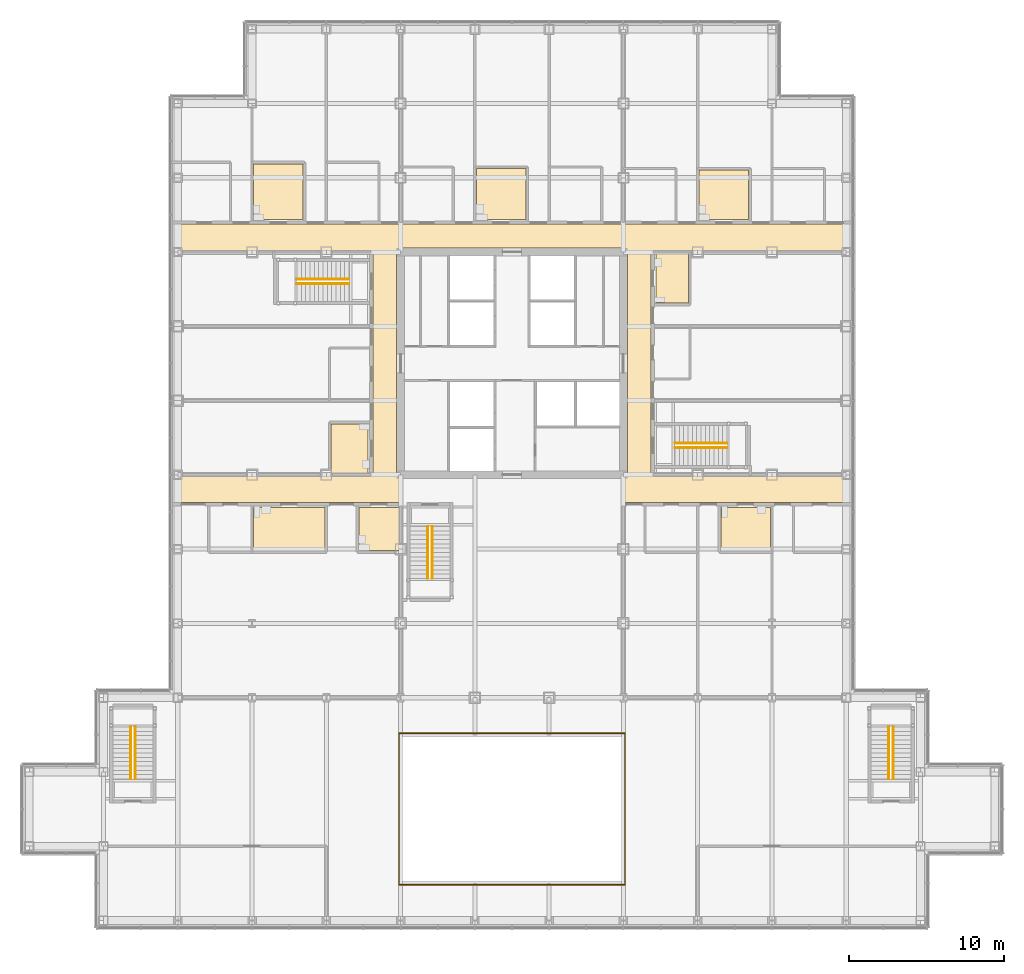
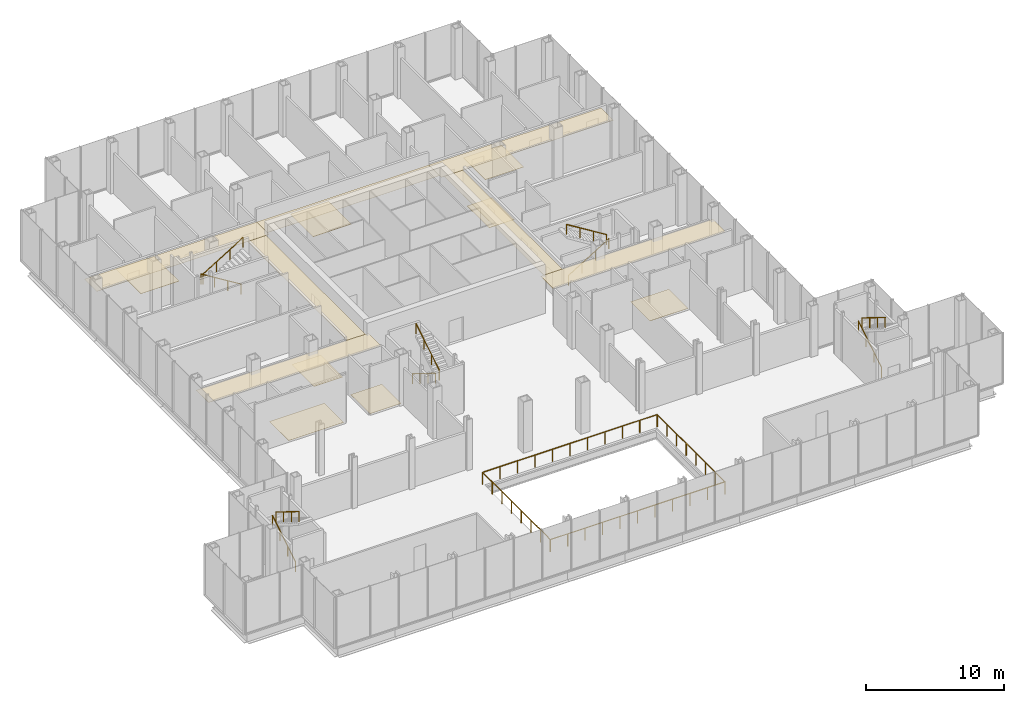
# One storey, part 24 of 25: 15 coverings, 12 railings.
"""IFC4 building model written with IfcOpenShell, lengths in metres."""

import ifcopenshell
import ifcopenshell.guid

model = None  # the IFC model being written
_history = None  # IfcOwnerHistory: only IFC2X3 demands one
_inside = {}  # id of a spatial element -> (the spatial element, [elements in it])
_under = {}  # id of a project, library or spatial element -> (it, [spatial elements below it])
_declared = {}  # id of a project -> (the project, [libraries it declares])
_typed = {}  # id of a type object -> (the type object, [elements of that type])
_made_of = {}  # id of a material, layer set ... -> (it, [elements and type objects made of it])


def new_model(schema):
    """Start an empty IFC model of exactly this schema.

    Asked for "IFC4X3", IfcOpenShell would pick the latest addendum, in which some entities
    have other attributes; the version numbers below select the first issue.
    IFC2X3 requires an IfcOwnerHistory on every rooted entity: one is made here for all.
    """
    global model, _history
    if schema == "IFC4X3":
        model = ifcopenshell.file(schema_version=(4, 3, 0, 0))
    else:
        model = ifcopenshell.file(schema=schema)
    _inside.clear()
    _under.clear()
    _declared.clear()
    _typed.clear()
    _made_of.clear()
    _history = None
    if model.schema == "IFC2X3":
        org = make("IfcOrganization", Name="unknown")
        user = make(
            "IfcPersonAndOrganization",
            ThePerson=make("IfcPerson", FamilyName="unknown"),
            TheOrganization=org,
        )
        app = make(
            "IfcApplication",
            ApplicationDeveloper=org,
            Version="unknown",
            ApplicationFullName="unknown",
            ApplicationIdentifier="unknown",
        )
        _history = make(
            "IfcOwnerHistory",
            OwningUser=user,
            OwningApplication=app,
            ChangeAction="ADDED",
            CreationDate=0,
        )
    return model


def make(cls, **values):
    """One entity of the class cls with the attributes given. An attribute that is None is left unset."""
    return model.create_entity(
        cls, **{name: value for name, value in values.items() if value is not None}
    )


def rooted(cls, **values):
    """An entity with a GlobalId (a new one), such as an element, a storey or a relation."""
    return make(cls, GlobalId=ifcopenshell.guid.new(), OwnerHistory=_history, **values)


def si_unit(unit_type, name, prefix=None):
    """IfcSIUnit, for example si_unit("LENGTHUNIT", "METRE", prefix="MILLI")."""
    return make("IfcSIUnit", UnitType=unit_type, Prefix=prefix, Name=name)


def assignment(units):
    """IfcUnitAssignment: the units of a project."""
    return None if units is None else make("IfcUnitAssignment", Units=units)


def point(xyz):
    """IfcCartesianPoint."""
    return None if xyz is None else make("IfcCartesianPoint", Coordinates=xyz)


def direction(xyz):
    """IfcDirection."""
    return None if xyz is None else make("IfcDirection", DirectionRatios=xyz)


def frame(location, z_axis=None, x_axis=None):
    """IfcAxis2Placement3D, a coordinate frame: its origin and axes. An axis left out is left unset."""
    return make(
        "IfcAxis2Placement3D",
        Location=point(location),
        Axis=direction(z_axis),
        RefDirection=direction(x_axis),
    )


def frame_2d(location, x_axis=None):
    """IfcAxis2Placement2D, a coordinate frame in the plane: its origin and x axis."""
    return make(
        "IfcAxis2Placement2D", Location=point(location), RefDirection=direction(x_axis)
    )


def origin():
    """The frame at (0, 0, 0) with its axes left unset."""
    return frame((0.0, 0.0, 0.0))


def origin_2d():
    """The frame at (0, 0) in the plane with its x axis left unset."""
    return frame_2d((0.0, 0.0))


def place(relative_to, where):
    """IfcLocalPlacement: puts the frame where relative to a parent placement (None: the world)."""
    return make(
        "IfcLocalPlacement", PlacementRelTo=relative_to, RelativePlacement=where
    )


def context(
    kind, dimensions, precision=None, world=None, true_north=None, identifier=None
):
    """IfcGeometricRepresentationContext, for example the 3D "Model" context."""
    return make(
        "IfcGeometricRepresentationContext",
        ContextIdentifier=identifier,
        ContextType=kind,
        CoordinateSpaceDimension=dimensions,
        Precision=precision,
        WorldCoordinateSystem=world,
        TrueNorth=true_north,
    )


def subcontext(parent, identifier, kind, view, scale=None):
    """IfcGeometricRepresentationSubContext, for example "Body" below "Model"."""
    return make(
        "IfcGeometricRepresentationSubContext",
        ContextIdentifier=identifier,
        ContextType=kind,
        ParentContext=parent,
        TargetScale=scale,
        TargetView=view,
    )


def project(units=None, contexts=None):
    """IfcProject with its units and contexts."""
    return rooted(
        "IfcProject",
        Name="project",
        RepresentationContexts=contexts,
        UnitsInContext=assignment(units),
    )


def spatial(cls, under=None, at=None, **own):
    """A site, building, storey or space (cls), placed at a placement, below another one or the project."""
    s = rooted(cls, ObjectPlacement=at, **own)
    if under is not None:
        _under.setdefault(under.id(), (under, []))[1].append(s)
    return s


def polyline(points):
    """IfcPolyline through the points."""
    return make("IfcPolyline", Points=[point(p) for p in points])


def profile(cls, at=None, kind="AREA", **sizes):
    """A parametric profile (cls). Its sizes go by their IFC names, for example OverallWidth=200.0."""
    return make(cls, ProfileType=kind, Position=at, **sizes)


def circle(**sizes):
    """IfcCircleProfileDef."""
    return profile("IfcCircleProfileDef", **sizes)


def outline(outer, holes=None, kind="AREA"):
    """IfcArbitraryClosedProfileDef: a profile drawn as a closed curve; with holes, ...WithVoids."""
    if holes is None:
        return make("IfcArbitraryClosedProfileDef", ProfileType=kind, OuterCurve=outer)
    return make(
        "IfcArbitraryProfileDefWithVoids",
        ProfileType=kind,
        OuterCurve=outer,
        InnerCurves=holes,
    )


def extrude(swept, where, along, depth):
    """IfcExtrudedAreaSolid: the profile swept, set in the frame where, extruded along a direction by depth."""
    return make(
        "IfcExtrudedAreaSolid",
        SweptArea=swept,
        Position=where,
        ExtrudedDirection=direction(along),
        Depth=depth,
    )


def shape(context_of_items, identifier, shape_type, items):
    """IfcShapeRepresentation: the items that make up one representation, for example the "Body"."""
    return make(
        "IfcShapeRepresentation",
        ContextOfItems=context_of_items,
        RepresentationIdentifier=identifier,
        RepresentationType=shape_type,
        Items=items,
    )


def material(Name=None, Category=None):
    """IfcMaterial."""
    return make("IfcMaterial", Name=Name, Category=Category)


def layer(
    of_material, thickness, ventilated=None, Name=None, Category=None, Priority=None
):
    """IfcMaterialLayer: one layer of a wall or slab, of a material (None: an air gap)."""
    return make(
        "IfcMaterialLayer",
        Material=of_material,
        LayerThickness=thickness,
        IsVentilated=ventilated,
        Name=Name,
        Category=Category,
        Priority=Priority,
    )


def layer_set(layers, Name=None):
    """IfcMaterialLayerSet."""
    return make("IfcMaterialLayerSet", MaterialLayers=layers, LayerSetName=Name)


def made_of(thing, what):
    """Note that an element or type object is made of a material, layer set ...; save() writes the relation."""
    if what is not None:
        _made_of.setdefault(what.id(), (what, []))[1].append(thing)
    return thing


def type_object(cls, material=None, **own):
    """A type object (cls), such as IfcWallType, which elements share."""
    return made_of(rooted(cls, **own), material)


def element(
    cls,
    number,
    at=None,
    inside=None,
    cuts=None,
    type_object=None,
    material=None,
    context=None,
    identifier="Body",
    shape_type=None,
    held_by="IfcProductDefinitionShape",
    body=None,
    shapes=None,
    **own,
):
    """One element of the class cls, such as IfcWall. Its Tag is "e" and its number.

    at: its placement. inside: the storey or other place that contains it. cuts: it is an
    opening in that element (IfcRelVoidsElement). A single representation is given by context,
    identifier, shape_type and body (its items); several are given by shapes. held_by: the class
    of the entity that holds the representations. save() writes the other relations.
    """
    e = rooted(cls, Tag="e%d" % number, ObjectPlacement=at, **own)
    if body is not None:
        shapes = [shape(context, identifier, shape_type, body)]
    if shapes is not None:
        e.Representation = make(held_by, Representations=shapes)
    if inside is not None:
        _inside.setdefault(inside.id(), (inside, []))[1].append(e)
    if cuts is not None:
        rooted(
            "IfcRelVoidsElement", RelatingBuildingElement=cuts, RelatedOpeningElement=e
        )
    if type_object is not None:
        _typed.setdefault(type_object.id(), (type_object, []))[1].append(e)
    return made_of(e, material)


def aggregate(whole, parts):
    """IfcRelAggregates: a whole, such as a stair, and the parts it consists of."""
    return rooted("IfcRelAggregates", RelatingObject=whole, RelatedObjects=parts)


def save(model, path):
    """Write the relations noted so far, then the file.

    IfcRelAggregates (storeys below a building ...), IfcRelContainedInSpatialStructure (elements
    in a storey), IfcRelDefinesByType, IfcRelAssociatesMaterial and IfcRelDeclares: one each for
    every whole, place, type object, material and project.
    """
    for whole, parts in _under.values():
        aggregate(whole, parts)
    for where, things in _inside.values():
        rooted(
            "IfcRelContainedInSpatialStructure",
            RelatedElements=things,
            RelatingStructure=where,
        )
    for kind, things in _typed.values():
        rooted("IfcRelDefinesByType", RelatedObjects=things, RelatingType=kind)
    for what, things in _made_of.values():
        rooted("IfcRelAssociatesMaterial", RelatedObjects=things, RelatingMaterial=what)
    for by, libraries in _declared.values():
        rooted("IfcRelDeclares", RelatingContext=by, RelatedDefinitions=libraries)
    model.write(path)


model = new_model("IFC4")

# Units and contexts
model_context = context("Model", 3, precision=1e-05, world=origin(), true_north=direction((0.0, 1.0)))
body_context = subcontext(model_context, "Body", "Model", "MODEL_VIEW")
ifc_project = project(units=[si_unit("LENGTHUNIT", "METRE"), si_unit("AREAUNIT", "SQUARE_METRE"), si_unit("VOLUMEUNIT", "CUBIC_METRE"), si_unit("PLANEANGLEUNIT", "RADIAN"), si_unit("MASSUNIT", "GRAM", prefix="KILO")], contexts=[model_context])

# Site, building, storey
site_placement = place(None, origin())
site = spatial("IfcSite", under=ifc_project, at=site_placement, CompositionType="ELEMENT")
building_placement = place(site_placement, origin())
building = spatial("IfcBuilding", under=site, at=building_placement, Name="Kvirike Care Tower", CompositionType="ELEMENT")
storey_placement = place(building_placement, frame((0.0, 0.0, 13.5)))
storey = spatial("IfcBuildingStorey", under=building, at=storey_placement, Name="L03", CompositionType="ELEMENT", Elevation=13.5)

# Railings
ifc_material_1 = material(Name="Laminated toughened glass balustrade with bronze-finish top rail", Category="glass")
railing_type_1 = type_object("IfcRailingType", Name="ATRIUM GLASS BALUSTRADE 1100", PredefinedType="BALUSTRADE", material=ifc_material_1)
railing_1_placement = place(storey_placement, frame((14.300048828125, 2.300048828125, 0.0)))
element("IfcRailing", 1, at=railing_1_placement, inside=storey, type_object=railing_type_1, Name="Atrium glass balustrade L03 run 1", PredefinedType="BALUSTRADE", context=body_context, shape_type="SweptSolid", body=[
    extrude(circle(Radius=0.02392578125, at=origin_2d()), frame((0.0, 0.0, 1.076171875), z_axis=(1.0, 0.0, 0.0), x_axis=(0.0, 1.0, 0.0)), (0.0, 0.0, 1.0), 14.599853515625),
    extrude(circle(Radius=0.02392578125, at=origin_2d()), frame((14.599853515625, 0.0, 1.076171875), z_axis=(0.0, 1.0, 0.0), x_axis=(-1.0, 0.0, 0.0)), (0.0, 0.0, 1.0), 9.800048828125),
    extrude(circle(Radius=0.02099609375, at=origin_2d()), origin(), (0.0, 0.0, 1.0), 1.052001953125),
    extrude(circle(Radius=0.02099609375, at=origin_2d()), frame((1.4599609375, 0.0, 0.0)), (0.0, 0.0, 1.0), 1.052001953125),
    extrude(circle(Radius=0.02099609375, at=origin_2d()), frame((2.919921875, 0.0, 0.0)), (0.0, 0.0, 1.0), 1.052001953125),
    extrude(circle(Radius=0.02099609375, at=origin_2d()), frame((4.3798828125, 0.0, 0.0)), (0.0, 0.0, 1.0), 1.052001953125),
    extrude(circle(Radius=0.02099609375, at=origin_2d()), frame((5.83984375, 0.0, 0.0)), (0.0, 0.0, 1.0), 1.052001953125),
    extrude(circle(Radius=0.02099609375, at=origin_2d()), frame((7.2998046875, 0.0, 0.0)), (0.0, 0.0, 1.0), 1.052001953125),
    extrude(circle(Radius=0.02099609375, at=origin_2d()), frame((8.760009765625, 0.0, 0.0)), (0.0, 0.0, 1.0), 1.052001953125),
    extrude(circle(Radius=0.02099609375, at=origin_2d()), frame((10.219970703125, 0.0, 0.0)), (0.0, 0.0, 1.0), 1.052001953125),
    extrude(circle(Radius=0.02099609375, at=origin_2d()), frame((11.679931640625, 0.0, 0.0)), (0.0, 0.0, 1.0), 1.052001953125),
    extrude(circle(Radius=0.02099609375, at=origin_2d()), frame((13.139892578125, 0.0, 0.0)), (0.0, 0.0, 1.0), 1.052001953125),
    extrude(circle(Radius=0.02099609375, at=origin_2d()), frame((14.599853515625, 0.0, 0.0)), (0.0, 0.0, 1.0), 1.052001953125),
    extrude(circle(Radius=0.02099609375, at=origin_2d()), frame((14.599853515625, 1.39990234375, 0.0)), (0.0, 0.0, 1.0), 1.052001953125),
    extrude(circle(Radius=0.02099609375, at=origin_2d()), frame((14.599853515625, 2.800048828125, 0.0)), (0.0, 0.0, 1.0), 1.052001953125),
    extrude(circle(Radius=0.02099609375, at=origin_2d()), frame((14.599853515625, 4.199951171875, 0.0)), (0.0, 0.0, 1.0), 1.052001953125),
    extrude(circle(Radius=0.02099609375, at=origin_2d()), frame((14.599853515625, 5.60009765625, 0.0)), (0.0, 0.0, 1.0), 1.052001953125),
    extrude(circle(Radius=0.02099609375, at=origin_2d()), frame((14.599853515625, 7.0, 0.0)), (0.0, 0.0, 1.0), 1.052001953125),
    extrude(circle(Radius=0.02099609375, at=origin_2d()), frame((14.599853515625, 8.400146484375, 0.0)), (0.0, 0.0, 1.0), 1.052001953125),
    extrude(circle(Radius=0.02099609375, at=origin_2d()), frame((14.599853515625, 9.800048828125, 0.0)), (0.0, 0.0, 1.0), 1.052001953125),
])
railing_2_placement = place(storey_placement, frame((28.89990234375, 12.10009765625, 0.0)))
element("IfcRailing", 2, at=railing_2_placement, inside=storey, type_object=railing_type_1, Name="Atrium glass balustrade L03 run 2", PredefinedType="BALUSTRADE", context=body_context, shape_type="SweptSolid", body=[
    extrude(circle(Radius=0.02392578125, at=origin_2d()), frame((0.0, 0.0, 1.076171875), z_axis=(-1.0, 0.0, 0.0), x_axis=(0.0, -1.0, 0.0)), (0.0, 0.0, 1.0), 14.599853515625),
    extrude(circle(Radius=0.02392578125, at=origin_2d()), frame((-14.599853515625, 0.0, 1.076171875), z_axis=(0.0, -1.0, 0.0), x_axis=(1.0, 0.0, 0.0)), (0.0, 0.0, 1.0), 9.800048828125),
    extrude(circle(Radius=0.02099609375, at=origin_2d()), origin(), (0.0, 0.0, 1.0), 1.052001953125),
    extrude(circle(Radius=0.02099609375, at=origin_2d()), frame((-1.4599609375, 0.0, 0.0)), (0.0, 0.0, 1.0), 1.052001953125),
    extrude(circle(Radius=0.02099609375, at=origin_2d()), frame((-2.919921875, 0.0, 0.0)), (0.0, 0.0, 1.0), 1.052001953125),
    extrude(circle(Radius=0.02099609375, at=origin_2d()), frame((-4.3798828125, 0.0, 0.0)), (0.0, 0.0, 1.0), 1.052001953125),
    extrude(circle(Radius=0.02099609375, at=origin_2d()), frame((-5.83984375, 0.0, 0.0)), (0.0, 0.0, 1.0), 1.052001953125),
    extrude(circle(Radius=0.02099609375, at=origin_2d()), frame((-7.2998046875, 0.0, 0.0)), (0.0, 0.0, 1.0), 1.052001953125),
    extrude(circle(Radius=0.02099609375, at=origin_2d()), frame((-8.760009765625, 0.0, 0.0)), (0.0, 0.0, 1.0), 1.052001953125),
    extrude(circle(Radius=0.02099609375, at=origin_2d()), frame((-10.219970703125, 0.0, 0.0)), (0.0, 0.0, 1.0), 1.052001953125),
    extrude(circle(Radius=0.02099609375, at=origin_2d()), frame((-11.679931640625, 0.0, 0.0)), (0.0, 0.0, 1.0), 1.052001953125),
    extrude(circle(Radius=0.02099609375, at=origin_2d()), frame((-13.139892578125, 0.0, 0.0)), (0.0, 0.0, 1.0), 1.052001953125),
    extrude(circle(Radius=0.02099609375, at=origin_2d()), frame((-14.599853515625, 0.0, 0.0)), (0.0, 0.0, 1.0), 1.052001953125),
    extrude(circle(Radius=0.02099609375, at=origin_2d()), frame((-14.599853515625, -1.39990234375, 0.0)), (0.0, 0.0, 1.0), 1.052001953125),
    extrude(circle(Radius=0.02099609375, at=origin_2d()), frame((-14.599853515625, -2.800048828125, 0.0)), (0.0, 0.0, 1.0), 1.052001953125),
    extrude(circle(Radius=0.02099609375, at=origin_2d()), frame((-14.599853515625, -4.199951171875, 0.0)), (0.0, 0.0, 1.0), 1.052001953125),
    extrude(circle(Radius=0.02099609375, at=origin_2d()), frame((-14.599853515625, -5.60009765625, 0.0)), (0.0, 0.0, 1.0), 1.052001953125),
    extrude(circle(Radius=0.02099609375, at=origin_2d()), frame((-14.599853515625, -7.0, 0.0)), (0.0, 0.0, 1.0), 1.052001953125),
    extrude(circle(Radius=0.02099609375, at=origin_2d()), frame((-14.599853515625, -8.400146484375, 0.0)), (0.0, 0.0, 1.0), 1.052001953125),
    extrude(circle(Radius=0.02099609375, at=origin_2d()), frame((-14.599853515625, -9.800048828125, 0.0)), (0.0, 0.0, 1.0), 1.052001953125),
])

# Coverings
ifc_material_2 = material(Name="Perforated metal ceiling tile", Category="aluminium")
ifc_layer_1 = layer(ifc_material_2, 0.014892578125)
ifc_layer_set_1 = layer_set([ifc_layer_1], Name="CORRIDOR CEILING 15")
covering_type_1 = type_object("IfcCoveringType", Name="CORRIDOR CEILING 15", PredefinedType="CEILING", material=ifc_layer_set_1)
covering_1_placement = place(storey_placement, frame((0.0, 0.0, 3.199951171875)))
element("IfcCovering", 3, at=covering_1_placement, inside=storey, type_object=covering_type_1, Name="Corridor ceiling L03", PredefinedType="CEILING", context=body_context, shape_type="SweptSolid", body=[
    extrude(outline(polyline([(0.0, 27.0), (0.0, 28.800048828125), (14.39990234375, 28.800048828125), (14.39990234375, 27.0), (0.0, 27.0)])), origin(), (0.0, 0.0, 1.0), 0.01513671875),
])
covering_2_placement = place(storey_placement, frame((0.0, 0.0, 3.199951171875)))
element("IfcCovering", 4, at=covering_2_placement, inside=storey, type_object=covering_type_1, Name="Corridor ceiling L03", PredefinedType="CEILING", context=body_context, shape_type="SweptSolid", body=[
    extrude(outline(polyline([(12.60009765625, 43.199951171875), (14.14990234375, 43.199951171875), (14.14990234375, 28.800048828125), (12.60009765625, 28.800048828125), (12.60009765625, 43.199951171875)])), origin(), (0.0, 0.0, 1.0), 0.01513671875),
])
covering_3_placement = place(storey_placement, frame((0.0, 0.0, 3.199951171875)))
element("IfcCovering", 5, at=covering_3_placement, inside=storey, type_object=covering_type_1, Name="Corridor ceiling L03", PredefinedType="CEILING", context=body_context, shape_type="SweptSolid", body=[
    extrude(outline(polyline([(14.39990234375, 45.0), (14.39990234375, 43.199951171875), (0.0, 43.199951171875), (0.0, 45.0), (14.39990234375, 45.0)])), origin(), (0.0, 0.0, 1.0), 0.01513671875),
])
covering_4_placement = place(storey_placement, frame((0.0, 0.0, 3.199951171875)))
element("IfcCovering", 6, at=covering_4_placement, inside=storey, type_object=covering_type_1, Name="Corridor ceiling L03", PredefinedType="CEILING", context=body_context, shape_type="SweptSolid", body=[
    extrude(outline(polyline([(28.800048828125, 45.0), (28.800048828125, 43.449951171875), (14.39990234375, 43.449951171875), (14.39990234375, 45.0), (28.800048828125, 45.0)])), origin(), (0.0, 0.0, 1.0), 0.01513671875),
])
covering_5_placement = place(storey_placement, frame((0.0, 0.0, 3.199951171875)))
element("IfcCovering", 7, at=covering_5_placement, inside=storey, type_object=covering_type_1, Name="Corridor ceiling L03", PredefinedType="CEILING", context=body_context, shape_type="SweptSolid", body=[
    extrude(outline(polyline([(28.800048828125, 27.0), (28.800048828125, 28.800048828125), (43.199951171875, 28.800048828125), (43.199951171875, 27.0), (28.800048828125, 27.0)])), origin(), (0.0, 0.0, 1.0), 0.01513671875),
])
covering_6_placement = place(storey_placement, frame((0.0, 0.0, 3.199951171875)))
element("IfcCovering", 8, at=covering_6_placement, inside=storey, type_object=covering_type_1, Name="Corridor ceiling L03", PredefinedType="CEILING", context=body_context, shape_type="SweptSolid", body=[
    extrude(outline(polyline([(30.60009765625, 28.800048828125), (29.050048828125, 28.800048828125), (29.050048828125, 43.199951171875), (30.60009765625, 43.199951171875), (30.60009765625, 28.800048828125)])), origin(), (0.0, 0.0, 1.0), 0.01513671875),
])
covering_7_placement = place(storey_placement, frame((0.0, 0.0, 3.199951171875)))
element("IfcCovering", 9, at=covering_7_placement, inside=storey, type_object=covering_type_1, Name="Corridor ceiling L03", PredefinedType="CEILING", context=body_context, shape_type="SweptSolid", body=[
    extrude(outline(polyline([(43.199951171875, 45.0), (43.199951171875, 43.199951171875), (28.800048828125, 43.199951171875), (28.800048828125, 45.0), (43.199951171875, 45.0)])), origin(), (0.0, 0.0, 1.0), 0.01513671875),
])

# Railings
ifc_material_3 = material(Name="Stainless steel handrail", Category="steel")
railing_type_2 = type_object("IfcRailingType", Name="STAIR HANDRAIL 900", PredefinedType="HANDRAIL", material=ifc_material_3)
railing_3_placement = place(storey_placement, frame((11.06005859375, 41.449951171875, 0.173095703125)))
element("IfcRailing", 10, at=railing_3_placement, inside=storey, type_object=railing_type_2, Name="Stair 1 handrail L03 flight 1", PredefinedType="HANDRAIL", context=body_context, shape_type="SweptSolid", body=[
    extrude(circle(Radius=0.02490234375, at=origin_2d()), frame((0.0, 0.0, 0.875), z_axis=(-0.850623216509, 0.0, 0.525775754039), x_axis=(0.0, -1.0, 0.0)), (0.0, 0.0, 1.0), 3.9501953125),
    extrude(circle(Radius=0.02001953125, at=origin_2d()), origin(), (0.0, 0.0, 1.0), 0.849853515625),
    extrude(circle(Radius=0.02001953125, at=origin_2d()), frame((-1.1201171875, 0.0, 0.6923828125)), (0.0, 0.0, 1.0), 0.849853515625),
    extrude(circle(Radius=0.02001953125, at=origin_2d()), frame((-2.239990234375, 0.0, 1.384521484375)), (0.0, 0.0, 1.0), 0.849853515625),
    extrude(circle(Radius=0.02001953125, at=origin_2d()), frame((-3.360107421875, 0.0, 2.076904296875)), (0.0, 0.0, 1.0), 0.849853515625),
])
for number, where, name in (
    (11, (7.699951171875, 41.14990234375, 2.423095703125), "Stair 1 handrail L03 flight 2"),
    (12, (32.139892578125, 30.550048828125, 0.173095703125), "Stair 2 handrail L03 flight 1"),
):
    element("IfcRailing", number, at=place(storey_placement, frame(where)), inside=storey, type_object=railing_type_2, Name=name, PredefinedType="HANDRAIL", context=body_context, shape_type="SweptSolid", body=[
        extrude(circle(Radius=0.02490234375, at=origin_2d()), frame((0.0, 0.0, 0.875), z_axis=(0.850623216509, 0.0, 0.525775754039), x_axis=(0.0, 1.0, 0.0)), (0.0, 0.0, 1.0), 3.9501953125),
        extrude(circle(Radius=0.02001953125, at=origin_2d()), origin(), (0.0, 0.0, 1.0), 0.849853515625),
        extrude(circle(Radius=0.02001953125, at=origin_2d()), frame((1.1201171875, 0.0, 0.6923828125)), (0.0, 0.0, 1.0), 0.849853515625),
        extrude(circle(Radius=0.02001953125, at=origin_2d()), frame((2.239990234375, 0.0, 1.384521484375)), (0.0, 0.0, 1.0), 0.849853515625),
        extrude(circle(Radius=0.02001953125, at=origin_2d()), frame((3.360107421875, 0.0, 2.076904296875)), (0.0, 0.0, 1.0), 0.849853515625),
    ])
railing_4_placement = place(storey_placement, frame((35.5, 30.85009765625, 2.423095703125)))
element("IfcRailing", 13, at=railing_4_placement, inside=storey, type_object=railing_type_2, Name="Stair 2 handrail L03 flight 2", PredefinedType="HANDRAIL", context=body_context, shape_type="SweptSolid", body=[
    extrude(circle(Radius=0.02490234375, at=origin_2d()), frame((0.0, 0.0, 0.875), z_axis=(-0.850623216509, 0.0, 0.525775754039), x_axis=(0.0, -1.0, 0.0)), (0.0, 0.0, 1.0), 3.9501953125),
    extrude(circle(Radius=0.02001953125, at=origin_2d()), origin(), (0.0, 0.0, 1.0), 0.849853515625),
    extrude(circle(Radius=0.02001953125, at=origin_2d()), frame((-1.1201171875, 0.0, 0.6923828125)), (0.0, 0.0, 1.0), 0.849853515625),
    extrude(circle(Radius=0.02001953125, at=origin_2d()), frame((-2.239990234375, 0.0, 1.384521484375)), (0.0, 0.0, 1.0), 0.849853515625),
    extrude(circle(Radius=0.02001953125, at=origin_2d()), frame((-3.360107421875, 0.0, 2.076904296875)), (0.0, 0.0, 1.0), 0.849853515625),
])
railing_5_placement = place(storey_placement, frame((-3.050048828125, 9.139892578125, 0.173095703125)))
element("IfcRailing", 14, at=railing_5_placement, inside=storey, type_object=railing_type_2, Name="Stair 3 handrail L03 flight 1", PredefinedType="HANDRAIL", context=body_context, shape_type="SweptSolid", body=[
    extrude(circle(Radius=0.02490234375, at=origin_2d()), frame((0.0, 0.0, 0.875), z_axis=(0.0, 0.850623216509, 0.525775754039), x_axis=(-1.0, 0.0, 0.0)), (0.0, 0.0, 1.0), 3.9501953125),
    extrude(circle(Radius=0.02001953125, at=origin_2d()), origin(), (0.0, 0.0, 1.0), 0.849853515625),
    extrude(circle(Radius=0.02001953125, at=origin_2d()), frame((0.0, 1.1201171875, 0.6923828125)), (0.0, 0.0, 1.0), 0.849853515625),
    extrude(circle(Radius=0.02001953125, at=origin_2d()), frame((0.0, 2.239990234375, 1.384521484375)), (0.0, 0.0, 1.0), 0.849853515625),
    extrude(circle(Radius=0.02001953125, at=origin_2d()), frame((0.0, 3.360107421875, 2.076904296875)), (0.0, 0.0, 1.0), 0.849853515625),
])
railing_6_placement = place(storey_placement, frame((-2.75, 12.5, 2.423095703125)))
element("IfcRailing", 15, at=railing_6_placement, inside=storey, type_object=railing_type_2, Name="Stair 3 handrail L03 flight 2", PredefinedType="HANDRAIL", context=body_context, shape_type="SweptSolid", body=[
    extrude(circle(Radius=0.02490234375, at=origin_2d()), frame((0.0, 0.0, 0.875), z_axis=(0.0, -0.850623216509, 0.525775754039), x_axis=(1.0, 0.0, 0.0)), (0.0, 0.0, 1.0), 3.9501953125),
    extrude(circle(Radius=0.02001953125, at=origin_2d()), origin(), (0.0, 0.0, 1.0), 0.849853515625),
    extrude(circle(Radius=0.02001953125, at=origin_2d()), frame((0.0, -1.1201171875, 0.6923828125)), (0.0, 0.0, 1.0), 0.849853515625),
    extrude(circle(Radius=0.02001953125, at=origin_2d()), frame((0.0, -2.239990234375, 1.384521484375)), (0.0, 0.0, 1.0), 0.849853515625),
    extrude(circle(Radius=0.02001953125, at=origin_2d()), frame((0.0, -3.360107421875, 2.076904296875)), (0.0, 0.0, 1.0), 0.849853515625),
])
railing_7_placement = place(storey_placement, frame((45.949951171875, 9.139892578125, 0.173095703125)))
element("IfcRailing", 16, at=railing_7_placement, inside=storey, type_object=railing_type_2, Name="Stair 4 handrail L03 flight 1", PredefinedType="HANDRAIL", context=body_context, shape_type="SweptSolid", body=[
    extrude(circle(Radius=0.02490234375, at=origin_2d()), frame((0.0, 0.0, 0.875), z_axis=(0.0, 0.850623216509, 0.525775754039), x_axis=(-1.0, 0.0, 0.0)), (0.0, 0.0, 1.0), 3.9501953125),
    extrude(circle(Radius=0.02001953125, at=origin_2d()), origin(), (0.0, 0.0, 1.0), 0.849853515625),
    extrude(circle(Radius=0.02001953125, at=origin_2d()), frame((0.0, 1.1201171875, 0.6923828125)), (0.0, 0.0, 1.0), 0.849853515625),
    extrude(circle(Radius=0.02001953125, at=origin_2d()), frame((0.0, 2.239990234375, 1.384521484375)), (0.0, 0.0, 1.0), 0.849853515625),
    extrude(circle(Radius=0.02001953125, at=origin_2d()), frame((0.0, 3.360107421875, 2.076904296875)), (0.0, 0.0, 1.0), 0.849853515625),
])
railing_8_placement = place(storey_placement, frame((46.25, 12.5, 2.423095703125)))
element("IfcRailing", 17, at=railing_8_placement, inside=storey, type_object=railing_type_2, Name="Stair 4 handrail L03 flight 2", PredefinedType="HANDRAIL", context=body_context, shape_type="SweptSolid", body=[
    extrude(circle(Radius=0.02490234375, at=origin_2d()), frame((0.0, 0.0, 0.875), z_axis=(0.0, -0.850623216509, 0.525775754039), x_axis=(1.0, 0.0, 0.0)), (0.0, 0.0, 1.0), 3.9501953125),
    extrude(circle(Radius=0.02001953125, at=origin_2d()), origin(), (0.0, 0.0, 1.0), 0.849853515625),
    extrude(circle(Radius=0.02001953125, at=origin_2d()), frame((0.0, -1.1201171875, 0.6923828125)), (0.0, 0.0, 1.0), 0.849853515625),
    extrude(circle(Radius=0.02001953125, at=origin_2d()), frame((0.0, -2.239990234375, 1.384521484375)), (0.0, 0.0, 1.0), 0.849853515625),
    extrude(circle(Radius=0.02001953125, at=origin_2d()), frame((0.0, -3.360107421875, 2.076904296875)), (0.0, 0.0, 1.0), 0.849853515625),
])
railing_9_placement = place(storey_placement, frame((16.14990234375, 25.4599609375, 0.173095703125)))
element("IfcRailing", 18, at=railing_9_placement, inside=storey, type_object=railing_type_2, Name="Stair 5 handrail L03 flight 1", PredefinedType="HANDRAIL", context=body_context, shape_type="SweptSolid", body=[
    extrude(circle(Radius=0.02490234375, at=origin_2d()), frame((0.0, 0.0, 0.875), z_axis=(0.0, -0.850606129759, 0.525803396734), x_axis=(1.0, 0.0, 0.0)), (0.0, 0.0, 1.0), 3.949951171875),
    extrude(circle(Radius=0.02001953125, at=origin_2d()), origin(), (0.0, 0.0, 1.0), 0.849853515625),
    extrude(circle(Radius=0.02001953125, at=origin_2d()), frame((0.0, -1.119873046875, 0.6923828125)), (0.0, 0.0, 1.0), 0.849853515625),
    extrude(circle(Radius=0.02001953125, at=origin_2d()), frame((0.0, -2.239990234375, 1.384521484375)), (0.0, 0.0, 1.0), 0.849853515625),
    extrude(circle(Radius=0.02001953125, at=origin_2d()), frame((0.0, -3.35986328125, 2.076904296875)), (0.0, 0.0, 1.0), 0.849853515625),
])
railing_10_placement = place(storey_placement, frame((16.449951171875, 22.10009765625, 2.423095703125)))
element("IfcRailing", 19, at=railing_10_placement, inside=storey, type_object=railing_type_2, Name="Stair 5 handrail L03 flight 2", PredefinedType="HANDRAIL", context=body_context, shape_type="SweptSolid", body=[
    extrude(circle(Radius=0.02490234375, at=origin_2d()), frame((0.0, 0.0, 0.875), z_axis=(0.0, 0.850606129759, 0.525803396734), x_axis=(-1.0, 0.0, 0.0)), (0.0, 0.0, 1.0), 3.949951171875),
    extrude(circle(Radius=0.02001953125, at=origin_2d()), origin(), (0.0, 0.0, 1.0), 0.849853515625),
    extrude(circle(Radius=0.02001953125, at=origin_2d()), frame((0.0, 1.119873046875, 0.6923828125)), (0.0, 0.0, 1.0), 0.849853515625),
    extrude(circle(Radius=0.02001953125, at=origin_2d()), frame((0.0, 2.239990234375, 1.384521484375)), (0.0, 0.0, 1.0), 0.849853515625),
    extrude(circle(Radius=0.02001953125, at=origin_2d()), frame((0.0, 3.35986328125, 2.076904296875)), (0.0, 0.0, 1.0), 0.849853515625),
])

# Coverings
ifc_material_4 = material(Name="Slip-resistant vinyl safety flooring on screed")
ifc_layer_2 = layer(ifc_material_4, 0.02001953125)
ifc_layer_set_2 = layer_set([ifc_layer_2], Name="WET ROOM FLOOR 20")
covering_type_2 = type_object("IfcCoveringType", Name="WET ROOM FLOOR 20", PredefinedType="FLOORING", material=ifc_layer_set_2)
covering_8_placement = place(storey_placement, origin())
element("IfcCovering", 20, at=covering_8_placement, inside=storey, type_object=covering_type_2, Name="Accessible WC floor L03-004", PredefinedType="FLOORING", context=body_context, shape_type="SweptSolid", body=[
    extrude(outline(polyline([(4.89990234375, 26.699951171875), (9.5, 26.699951171875), (9.5, 23.89990234375), (4.89990234375, 23.89990234375), (4.89990234375, 26.699951171875)])), origin(), (0.0, 0.0, 1.0), 0.02001953125),
])
covering_9_placement = place(storey_placement, origin())
element("IfcCovering", 21, at=covering_9_placement, inside=storey, type_object=covering_type_2, Name="Staff WC floor L03-005", PredefinedType="FLOORING", context=body_context, shape_type="SweptSolid", body=[
    extrude(outline(polyline([(11.699951171875, 26.699951171875), (14.300048828125, 26.699951171875), (14.300048828125, 23.89990234375), (11.699951171875, 23.89990234375), (11.699951171875, 26.699951171875)])), origin(), (0.0, 0.0, 1.0), 0.02001953125),
])
covering_10_placement = place(storey_placement, origin())
element("IfcCovering", 22, at=covering_10_placement, inside=storey, type_object=covering_type_2, Name="Staff WC floor L03-012", PredefinedType="FLOORING", context=body_context, shape_type="SweptSolid", body=[
    extrude(outline(polyline([(12.300048828125, 32.10009765625), (12.300048828125, 28.89990234375), (9.89990234375, 28.89990234375), (9.89990234375, 32.10009765625), (12.300048828125, 32.10009765625)])), origin(), (0.0, 0.0, 1.0), 0.02001953125),
])
covering_11_placement = place(storey_placement, origin())
element("IfcCovering", 23, at=covering_11_placement, inside=storey, type_object=covering_type_2, Name="Staff WC floor L03-018", PredefinedType="FLOORING", context=body_context, shape_type="SweptSolid", body=[
    extrude(outline(polyline([(8.10009765625, 45.300048828125), (4.89990234375, 45.300048828125), (4.89990234375, 48.89990234375), (8.10009765625, 48.89990234375), (8.10009765625, 45.300048828125)])), origin(), (0.0, 0.0, 1.0), 0.02001953125),
])
covering_12_placement = place(storey_placement, origin())
element("IfcCovering", 24, at=covering_12_placement, inside=storey, type_object=covering_type_2, Name="Accessible WC floor L03-027", PredefinedType="FLOORING", context=body_context, shape_type="SweptSolid", body=[
    extrude(outline(polyline([(22.5, 45.300048828125), (19.300048828125, 45.300048828125), (19.300048828125, 48.60009765625), (22.5, 48.60009765625), (22.5, 45.300048828125)])), origin(), (0.0, 0.0, 1.0), 0.02001953125),
])
covering_13_placement = place(storey_placement, origin())
element("IfcCovering", 25, at=covering_13_placement, inside=storey, type_object=covering_type_2, Name="Accessible WC floor L03-034", PredefinedType="FLOORING", context=body_context, shape_type="SweptSolid", body=[
    extrude(outline(polyline([(35.10009765625, 26.699951171875), (38.300048828125, 26.699951171875), (38.300048828125, 23.89990234375), (35.10009765625, 23.89990234375), (35.10009765625, 26.699951171875)])), origin(), (0.0, 0.0, 1.0), 0.02001953125),
])
covering_14_placement = place(storey_placement, origin())
element("IfcCovering", 26, at=covering_14_placement, inside=storey, type_object=covering_type_2, Name="Staff WC floor L03-042", PredefinedType="FLOORING", context=body_context, shape_type="SweptSolid", body=[
    extrude(outline(polyline([(30.89990234375, 39.89990234375), (30.89990234375, 43.10009765625), (33.0, 43.10009765625), (33.0, 39.89990234375), (30.89990234375, 39.89990234375)])), origin(), (0.0, 0.0, 1.0), 0.02001953125),
])
covering_15_placement = place(storey_placement, origin())
element("IfcCovering", 27, at=covering_15_placement, inside=storey, type_object=covering_type_2, Name="Staff WC floor L03-048", PredefinedType="FLOORING", context=body_context, shape_type="SweptSolid", body=[
    extrude(outline(polyline([(36.89990234375, 45.300048828125), (33.699951171875, 45.300048828125), (33.699951171875, 48.5), (36.89990234375, 48.5), (36.89990234375, 45.300048828125)])), origin(), (0.0, 0.0, 1.0), 0.02001953125),
])

save(model, "model.ifc")
